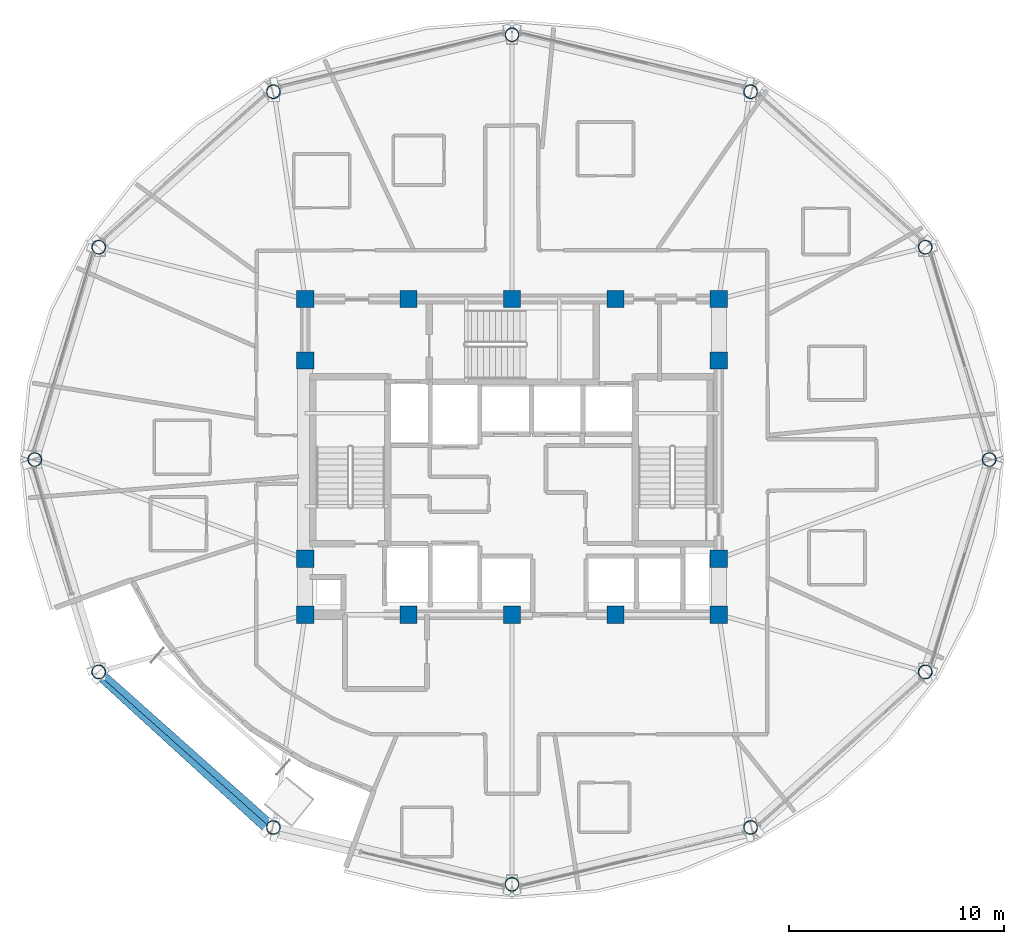
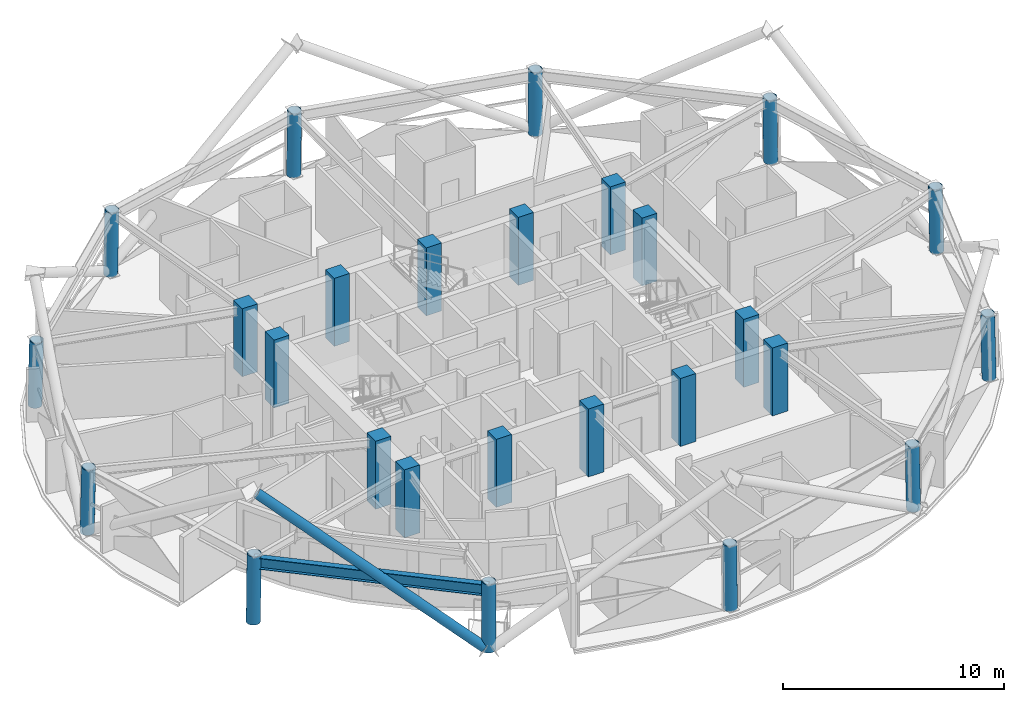
# One storey, part 1 of 18: 26 columns, 1 beam, 1 member.
"""IFC4 building model written with IfcOpenShell, lengths in metres."""

from ifc_helpers import new_model, si_unit, direction, frame, origin, origin_2d, place, context, subcontext, project, spatial, rectangle, hollow_circle, i_section, extrude, material, material_profile, profile_set, type_object, element, save


model = new_model("IFC4")

# Units and contexts
model_context = context("Model", 3, precision=1e-05, world=origin(), true_north=direction((0.0, 1.0)))
body_context = subcontext(model_context, "Body", "Model", "MODEL_VIEW")
ifc_project = project(units=[si_unit("LENGTHUNIT", "METRE"), si_unit("AREAUNIT", "SQUARE_METRE"), si_unit("VOLUMEUNIT", "CUBIC_METRE"), si_unit("PLANEANGLEUNIT", "RADIAN"), si_unit("MASSUNIT", "GRAM", prefix="KILO")], contexts=[model_context])

# Site, building, storey
site_placement = place(None, origin())
site = spatial("IfcSite", under=ifc_project, at=site_placement, CompositionType="ELEMENT")
building_placement = place(site_placement, origin())
building = spatial("IfcBuilding", under=site, at=building_placement, Name="Vantalir Tower", CompositionType="ELEMENT")
storey_placement = place(building_placement, frame((0.0, 0.0, 212.39990234375)))
storey = spatial("IfcBuildingStorey", under=building, at=storey_placement, Name="L53", CompositionType="ELEMENT", Elevation=212.39990234375)

# Columns
ifc_material_1 = material(Name="Concrete C50/60", Category="concrete")
ifc_material_profile_1 = material_profile(ifc_material_1, rectangle(XDim=0.800048828125, YDim=0.800048828125, at=origin_2d()), Name="Concrete C50/60")
ifc_profile_set_1 = profile_set([ifc_material_profile_1], Name="Concrete C50/60")
column_type_1 = type_object("IfcColumnType", Name="COL-CC-800", PredefinedType="COLUMN", material=ifc_profile_set_1)
for number, where, z_axis, x_axis, name in (
    (1, (21.89990234375, 17.800048828125, 0.0), (0.0, 0.0, 1.0), (1.0, 0.0, 0.0), "L53 Core Column CC01"),
    (2, (26.699951171875, 17.800048828125, 0.0), (0.0, 0.0, 1.0), (1.0, 0.0, 0.0), "L53 Core Column CC02"),
    (3, (31.5, 17.800048828125, 0.0), (0.0, 0.0, 1.0), (1.0, 0.0, 0.0), "L53 Core Column CC03"),
    (4, (36.300048828125, 17.800048828125, 0.0), (0.0, 0.0, 1.0), (1.0, 0.0, 0.0), "L53 Core Column CC04"),
    (5, (41.10009765625, 17.800048828125, 0.0), (0.0, 0.0, 1.0), (1.0, 0.0, 0.0), "L53 Core Column CC05"),
    (6, (21.89990234375, 20.39990234375, 0.0), (0.0, 0.0, 1.0), (1.0, 0.0, 0.0), "L53 Core Column CC06"),
    (7, (21.89990234375, 29.60009765625, 0.0), (0.0, 0.0, 1.0), (1.0, 0.0, 0.0), "L53 Core Column CC07"),
    (8, (41.10009765625, 20.39990234375, 0.0), (0.0, 0.0, 1.0), (1.0, 0.0, 0.0), "L53 Core Column CC08"),
    (9, (41.10009765625, 29.60009765625, 0.0), (0.0, 0.0, 1.0), (1.0, 0.0, 0.0), "L53 Core Column CC09"),
    (10, (21.89990234375, 32.449951171875, 0.0), (0.0, 0.0, 1.0), (1.0, 0.0, 0.0), "L53 Core Column CC10"),
    (11, (26.699951171875, 32.449951171875, 0.0), (0.0, 0.0, 1.0), (1.0, 0.0, 0.0), "L53 Core Column CC11"),
    (12, (31.5, 32.449951171875, 0.0), (0.0, 0.0, 1.0), (1.0, 0.0, 0.0), "L53 Core Column CC12"),
    (13, (36.300048828125, 32.449951171875, 0.0), (0.0, 0.0, 1.0), (1.0, 0.0, 0.0), "L53 Core Column CC13"),
    (14, (41.10009765625, 32.449951171875, 0.0), (0.0, 0.0, 1.0), (1.0, 0.0, 0.0), "L53 Core Column CC14"),
):
    element("IfcColumn", number, at=place(storey_placement, frame(where, z_axis=z_axis, x_axis=x_axis)), inside=storey, type_object=column_type_1, Name=name, PredefinedType="COLUMN", context=body_context, shape_type="SweptSolid", body=[
        extrude(rectangle(XDim=0.800048828125, YDim=0.800048828125, at=origin_2d()), origin(), (0.0, 0.0, 1.0), 3.75),
    ])
ifc_material_2 = material(Name="Steel S460", Category="steel")
ifc_material_profile_2 = material_profile(ifc_material_2, hollow_circle(Radius=0.324951171875, WallThickness=0.030029296875, at=origin_2d()), Name="Steel S460")
ifc_profile_set_2 = profile_set([ifc_material_profile_2], Name="Steel S460")
column_type_2 = type_object("IfcColumnType", Name="COL-RC-650", PredefinedType="COLUMN", material=ifc_profile_set_2)
for number, where, z_axis, x_axis, name in (
    (15, (53.660888671875, 25.0, 0.0), (-0.020716335519, 0.0, 0.999785393693), (0.0, -1.0, 0.0), "L53 Perimeter Ring Column RC01"),
    (16, (50.69189453125, 34.863037109375, 0.0), (-0.017913341834, -0.009230157052, 0.999796937575), (0.458037839434, -0.888932695791, 0.0), "L53 Perimeter Ring Column RC02"),
    (17, (42.580078125, 42.083984375, 0.0), (-0.010119239503, -0.015930964893, 0.999821886813), (0.844108715031, -0.536172059333, 0.0), "L53 Perimeter Ring Column RC03"),
    (18, (31.5, 44.72705078125, 0.0), (0.0, -0.018529267201, 0.999828318391), (1.0, 0.0, 0.0), "L53 Perimeter Ring Column RC04"),
    (19, (20.419921875, 42.083984375, 0.0), (0.010392703311, -0.015930920208, 0.999819082384), (0.837539079284, 0.546377425112, 0.0), "L53 Perimeter Ring Column RC05"),
    (20, (12.30810546875, 34.863037109375, 0.0), (0.017913341834, -0.009230157052, 0.999796937575), (0.458037839434, 0.888932695791, 0.0), "L53 Perimeter Ring Column RC06"),
    (21, (9.339111328125, 25.0, 0.0), (0.020716335519, 0.0, 0.999785393693), (0.0, 1.0, 0.0), "L53 Perimeter Ring Column RC07"),
):
    element("IfcColumn", number, at=place(storey_placement, frame(where, z_axis=z_axis, x_axis=x_axis)), inside=storey, type_object=column_type_2, Name=name, PredefinedType="COLUMN", context=body_context, shape_type="SweptSolid", body=[
        extrude(hollow_circle(Radius=0.324951171875, WallThickness=0.030029296875, at=origin_2d()), origin(), (0.0, 0.0, 1.0), 3.57080078125),
    ])
for number, where, z_axis, x_axis, name in (
    (22, (12.30810546875, 15.135986328125, 0.0), (0.017172577046, 0.009110642021, 0.999811031545), (-0.468662113533, 0.883377508961, 0.0), "L53 Perimeter Ring Column RC08"),
    (23, (20.4189453125, 7.916015625, 0.0), (0.009962942704, 0.015272142435, 0.999833736897), (-0.837539079284, 0.546377425112, 0.0), "L53 Perimeter Ring Column RC09"),
):
    element("IfcColumn", number, at=place(storey_placement, frame(where, z_axis=z_axis, x_axis=x_axis)), inside=storey, type_object=column_type_2, Name=name, PredefinedType="COLUMN", context=body_context, shape_type="SweptSolid", body=[
        extrude(hollow_circle(Radius=0.324951171875, WallThickness=0.030029296875, at=origin_2d()), origin(), (0.0, 0.0, 1.0), 3.724853515625),
    ])
for number, where, z_axis, x_axis, name in (
    (24, (31.5, 5.27294921875, 0.0), (0.0, 0.018529267201, 0.999828318391), (-1.0, 0.0, 0.0), "L53 Perimeter Ring Column RC10"),
    (25, (42.580078125, 7.916015625, 0.0), (-0.010119239503, 0.015930964893, 0.999821886813), (-0.844108715031, -0.536172059333, 0.0), "L53 Perimeter Ring Column RC11"),
    (26, (50.69189453125, 15.135986328125, 0.0), (-0.017913341834, 0.009230157052, 0.999796937575), (-0.458037839434, -0.888932695791, 0.0), "L53 Perimeter Ring Column RC12"),
):
    element("IfcColumn", number, at=place(storey_placement, frame(where, z_axis=z_axis, x_axis=x_axis)), inside=storey, type_object=column_type_2, Name=name, PredefinedType="COLUMN", context=body_context, shape_type="SweptSolid", body=[
        extrude(hollow_circle(Radius=0.324951171875, WallThickness=0.030029296875, at=origin_2d()), origin(), (0.0, 0.0, 1.0), 3.57080078125),
    ])

# Beam
ifc_material_profile_3 = material_profile(ifc_material_2, i_section(OverallWidth=0.306884765625, OverallDepth=0.6201171875, WebThickness=0.01416015625, FlangeThickness=0.023681640625, at=origin_2d()), Name="Steel S460")
ifc_profile_set_3 = profile_set([ifc_material_profile_3], Name="Steel S460")
beam_type = type_object("IfcBeamType", Name="BM-RG-610x305", PredefinedType="USERDEFINED", material=ifc_profile_set_3)
beam_placement = place(storey_placement, frame((12.3720703125, 15.169921875, 3.260009765625), z_axis=(0.746892625531, -0.664944663809, 0.0), x_axis=(0.664944663809, 0.746892625531, 0.0)))
element("IfcBeam", 27, at=beam_placement, inside=storey, type_object=beam_type, Name="L53 Circumferential Ring Girder 08", ObjectType="GIRDER", PredefinedType="USERDEFINED", context=body_context, shape_type="SweptSolid", body=[
    extrude(i_section(OverallWidth=0.306884765625, OverallDepth=0.6201171875, WebThickness=0.01416015625, FlangeThickness=0.023681640625, at=origin_2d()), origin(), (0.0, 0.0, 1.0), 10.823486328125),
])

# Member
ifc_material_profile_4 = material_profile(ifc_material_2, hollow_circle(Radius=0.25, WallThickness=0.031982421875, at=origin_2d()), Name="Steel S460")
ifc_profile_set_4 = profile_set([ifc_material_profile_4], Name="Steel S460")
member_type = type_object("IfcMemberType", Name="MEM-DB-500x32", PredefinedType="BRACE", material=ifc_profile_set_4)
member_placement = place(storey_placement, frame((20.18798828125, 7.875, 0.201171875), z_axis=(-0.617172057275, 0.563854372093, 0.548786751653), x_axis=(-0.674497304434, -0.738277309899, 0.0)))
element("IfcMember", 28, at=member_placement, inside=storey, type_object=member_type, Name="L53 Perimeter S460 Diagrid Brace R25R", PredefinedType="BRACE", context=body_context, shape_type="SweptSolid", body=[
    extrude(hollow_circle(Radius=0.25, WallThickness=0.031982421875, at=origin_2d()), origin(), (0.0, 0.0, 1.0), 12.60595703125),
])

save(model, "model.ifc")
